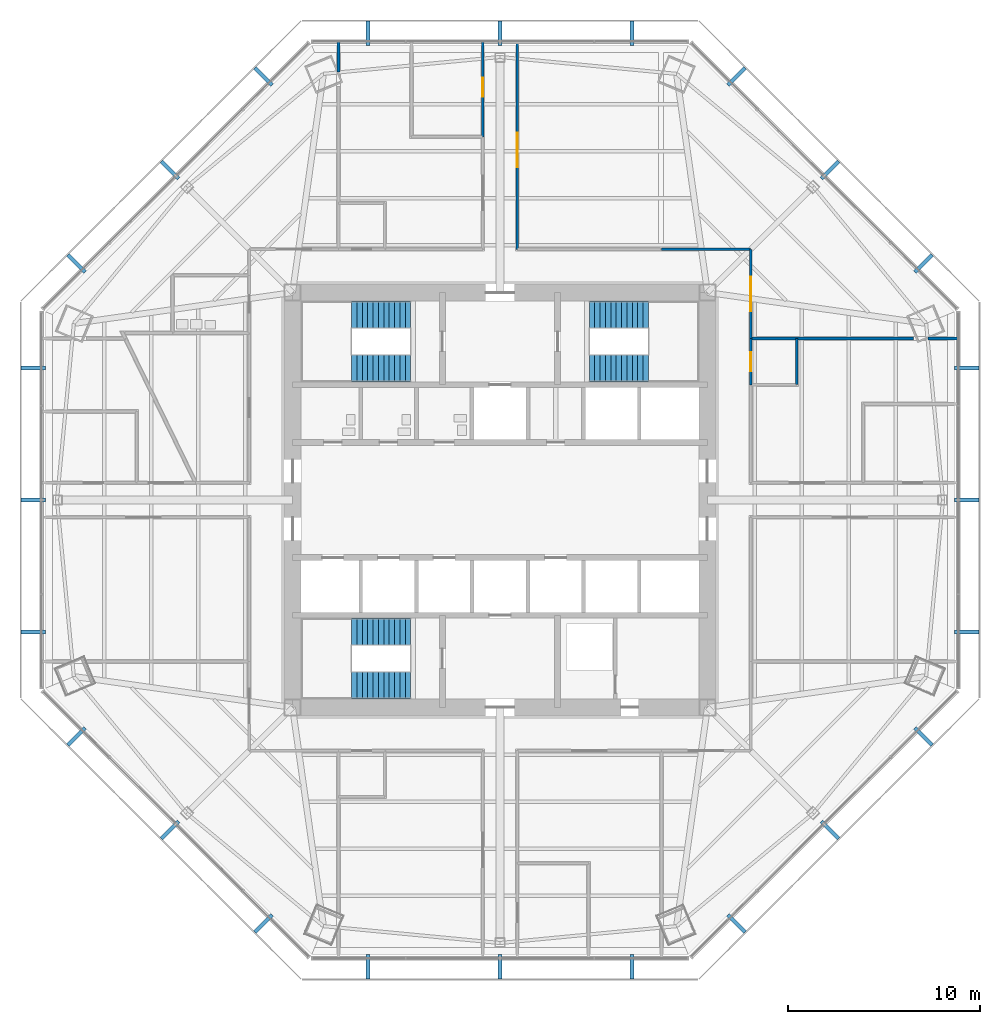
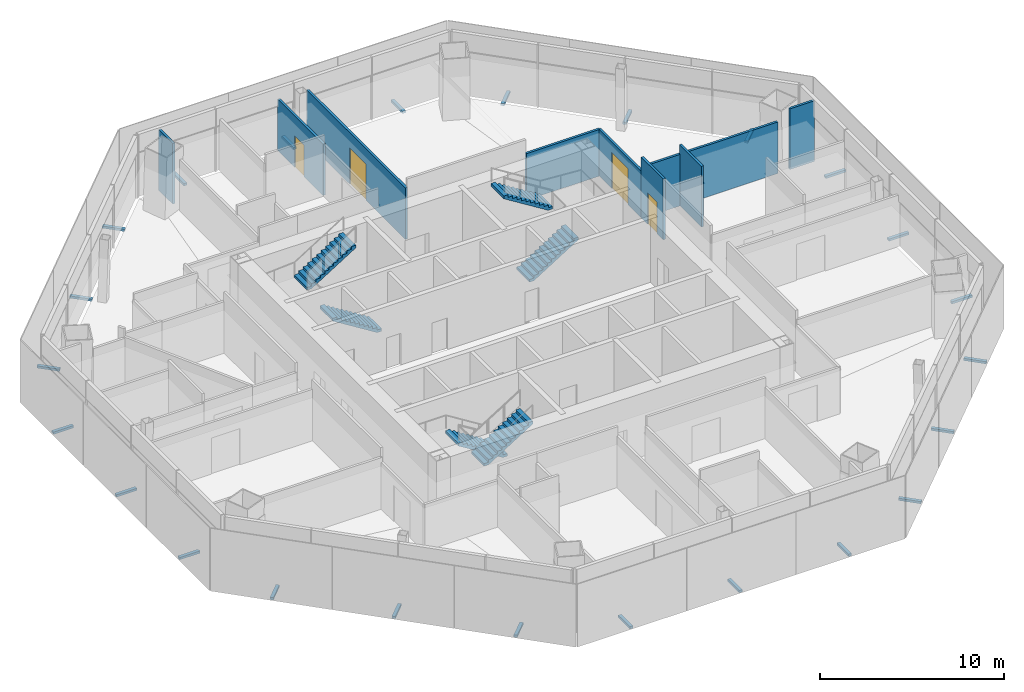
# One storey, part 11 of 14: 24 discrete accessories, 9 walls, 6 stair flights, 4 doors, 4 openings, 3 elements without a shape of their own.
"""IFC4 building model written with IfcOpenShell, lengths in metres."""

from ifc_helpers import new_model, si_unit, direction, frame, frame_2d, origin, origin_2d, place, context, subcontext, project, spatial, polyline, rectangle, outline, extrude, source, transform, mapped, material, layer, layer_set, type_object, type_shapes, element, fill, aggregate, save


model = new_model("IFC4")

# Units and contexts
model_context = context("Model", 3, precision=1e-05, world=origin(), true_north=direction((0.0, 1.0)))
body_context = subcontext(model_context, "Body", "Model", "MODEL_VIEW")
ifc_project = project(units=[si_unit("LENGTHUNIT", "METRE"), si_unit("AREAUNIT", "SQUARE_METRE"), si_unit("VOLUMEUNIT", "CUBIC_METRE"), si_unit("PLANEANGLEUNIT", "RADIAN"), si_unit("MASSUNIT", "GRAM", prefix="KILO")], contexts=[model_context])

# Site, building, storey
site_placement = place(None, origin())
site = spatial("IfcSite", under=ifc_project, at=site_placement, CompositionType="ELEMENT")
building_placement = place(site_placement, origin())
building = spatial("IfcBuilding", under=site, at=building_placement, Name="Mashrafa Tower", CompositionType="ELEMENT")
storey_placement = place(building_placement, frame((0.0, 0.0, 147.0)))
storey = spatial("IfcBuildingStorey", under=building, at=storey_placement, Name="L33", CompositionType="ELEMENT", Elevation=147.0)

# Wall, opening, door
ifc_material_1 = material(Name="Gypsum board on steel studs", Category="steel")
ifc_layer_1 = layer(ifc_material_1, 0.14990234375)
ifc_layer_set_1 = layer_set([ifc_layer_1], Name="Corridor partition 150 1 hr")
wall_type_1 = type_object("IfcWallType", Name="Corridor partition 150 1 hr", PredefinedType="PARTITIONING", material=ifc_layer_set_1)
wall_1_placement = place(storey_placement, frame((-0.89990234375, 23.84033203125, 0.0), z_axis=(0.0, 0.0, 1.0), x_axis=(0.0, -1.0, 0.0)))
wall_1 = element("IfcWall", 1, at=wall_1_placement, inside=storey, type_object=wall_type_1, Name="Corridor wall L33-006", PredefinedType="PARTITIONING", context=body_context, shape_type="SweptSolid", body=[
    extrude(rectangle(XDim=4.93505859375, YDim=0.14990234375, at=frame_2d((2.467529296875, 0.0))), origin(), (0.0, 0.0, 1.0), 3.425537109375),
])
opening_1_placement = place(wall_1_placement, frame((1.849609375, 0.0, 0.0)))
opening_1 = element("IfcOpeningElement", 2, at=opening_1_placement, cuts=wall_1, Name="Opening 33.005", PredefinedType="OPENING", context=body_context, shape_type="SweptSolid", body=[
    extrude(rectangle(XDim=1.0, YDim=2.10009765625, at=frame_2d((0.5, 1.050048828125))), frame((0.0, 0.0849609375, 0.0), z_axis=(0.0, -1.0, 0.0), x_axis=(1.0, 0.0, 0.0)), (0.0, 0.0, 1.0), 0.169921875),
])
ifc_material_2 = material(Name="Timber door", Category="wood")
door_type_1 = type_object("IfcDoorType", Name="Door 1000 x 2100", OperationType="USERDEFINED", PredefinedType="DOOR", material=ifc_material_2)
door_1_placement = place(opening_1_placement, frame((1.0, 0.0, 0.0), z_axis=(0.0, 0.0, 1.0), x_axis=(-1.0, 0.0, 0.0)))
door_1 = element("IfcDoor", 3, at=door_1_placement, inside=storey, type_object=door_type_1, Name="Meeting Room 33-N door", OperationType="SINGLE_SWING_RIGHT", OverallHeight=2.10009765625, OverallWidth=1.0, PredefinedType="DOOR", context=body_context, shape_type="SweptSolid", body=[
    extrude(rectangle(XDim=1.0, YDim=2.10009765625, at=frame_2d((0.5, 1.050048828125))), frame((0.0, 0.02490234375, 0.0), z_axis=(0.0, -1.0, 0.0), x_axis=(1.0, 0.0, 0.0)), (0.0, 0.0, 1.0), 0.050048828125),
])
fill(opening_1, door_1)

wall_2_placement = place(storey_placement, frame((13.050048828125, 5.9990234375, 0.0), z_axis=(0.0, 0.0, 1.0), x_axis=(0.0, 1.0, 0.0)))
wall_2 = element("IfcWall", 4, at=wall_2_placement, inside=storey, type_object=wall_type_1, Name="Corridor wall L33-008", PredefinedType="PARTITIONING", context=body_context, shape_type="SweptSolid", body=[
    extrude(rectangle(XDim=2.40185546875, YDim=0.14990234375, at=frame_2d((1.200927734375, 0.0))), origin(), (0.0, 0.0, 1.0), 4.034912109375),
])
opening_2_placement = place(wall_2_placement, frame((0.700927734375, 0.0, 0.0)))
opening_2 = element("IfcOpeningElement", 5, at=opening_2_placement, cuts=wall_2, Name="Opening 33.007", PredefinedType="OPENING", context=body_context, shape_type="SweptSolid", body=[
    extrude(rectangle(XDim=1.0, YDim=2.10009765625, at=frame_2d((0.5, 1.050048828125))), frame((0.0, 0.0849609375, 0.0), z_axis=(0.0, -1.0, 0.0), x_axis=(1.0, 0.0, 0.0)), (0.0, 0.0, 1.0), 0.169921875),
])
door_2_placement = place(opening_2_placement, frame((1.0, 0.0, 0.0), z_axis=(0.0, 0.0, 1.0), x_axis=(-1.0, 0.0, 0.0)))
door_2 = element("IfcDoor", 6, at=door_2_placement, inside=storey, type_object=door_type_1, Name="Kitchenette 33-E door", OperationType="SINGLE_SWING_RIGHT", OverallHeight=2.10009765625, OverallWidth=1.0, PredefinedType="DOOR", context=body_context, shape_type="SweptSolid", body=[
    extrude(rectangle(XDim=1.0, YDim=2.10009765625, at=frame_2d((0.5, 1.050048828125))), frame((0.0, 0.02490234375, 0.0), z_axis=(0.0, -1.0, 0.0), x_axis=(1.0, 0.0, 0.0)), (0.0, 0.0, 1.0), 0.050048828125),
])
fill(opening_2, door_2)

wall_3_placement = place(storey_placement, frame((0.89990234375, 13.050048828125, 0.0), z_axis=(0.0, 0.0, 1.0), x_axis=(0.0, 1.0, 0.0)))
wall_3 = element("IfcWall", 7, at=wall_3_placement, inside=storey, type_object=wall_type_1, Name="Corridor wall L33-012", PredefinedType="PARTITIONING", context=body_context, shape_type="SweptSolid", body=[
    extrude(rectangle(XDim=10.790283203125, YDim=0.14990234375, at=frame_2d((5.39501953125, 0.0))), origin(), (0.0, 0.0, 1.0), 3.425537109375),
])
opening_3_placement = place(wall_3_placement, frame((4.278076171875, 0.0, 0.0)))
opening_3 = element("IfcOpeningElement", 8, at=opening_3_placement, cuts=wall_3, Name="Opening 33.010", PredefinedType="OPENING", context=body_context, shape_type="SweptSolid", body=[
    extrude(rectangle(XDim=1.800048828125, YDim=2.39990234375, at=frame_2d((0.89990234375, 1.199951171875))), frame((0.0, 0.0849609375, 0.0), z_axis=(0.0, -1.0, 0.0), x_axis=(1.0, 0.0, 0.0)), (0.0, 0.0, 1.0), 0.169921875),
])
ifc_material_3 = material(Name="Timber door", Category="wood")
door_type_2 = type_object("IfcDoorType", Name="Door pair 1800 x 2400", OperationType="DOUBLE_DOOR_SINGLE_SWING", PredefinedType="DOOR", material=ifc_material_3)
door_3_placement = place(opening_3_placement, frame((1.800048828125, 0.0, 0.0), z_axis=(0.0, 0.0, 1.0), x_axis=(-1.0, 0.0, 0.0)))
door_3 = element("IfcDoor", 9, at=door_3_placement, inside=storey, type_object=door_type_2, Name="Office Suite 33-NE12 door", OperationType="DOUBLE_DOOR_SINGLE_SWING", OverallHeight=2.39990234375, OverallWidth=1.800048828125, PredefinedType="DOOR", context=body_context, shape_type="SweptSolid", body=[
    extrude(rectangle(XDim=1.800048828125, YDim=2.39990234375, at=frame_2d((0.89990234375, 1.199951171875))), frame((0.0, 0.02490234375, 0.0), z_axis=(0.0, -1.0, 0.0), x_axis=(1.0, 0.0, 0.0)), (0.0, 0.0, 1.0), 0.050048828125),
])
fill(opening_3, door_3)

wall_4_placement = place(storey_placement, frame((13.050048828125, 8.39892578125, 0.0), z_axis=(0.0, 0.0, 1.0), x_axis=(0.0, 1.0, 0.0)))
wall_4 = element("IfcWall", 10, at=wall_4_placement, inside=storey, type_object=wall_type_1, Name="Corridor wall L33-015", PredefinedType="PARTITIONING", context=body_context, shape_type="SweptSolid", body=[
    extrude(rectangle(XDim=4.651123046875, YDim=0.14990234375, at=frame_2d((2.32568359375, 0.0))), origin(), (0.0, 0.0, 1.0), 3.097900390625),
])
opening_4_placement = place(wall_4_placement, frame((1.425537109375, 0.0, 0.0)))
opening_4 = element("IfcOpeningElement", 11, at=opening_4_placement, cuts=wall_4, Name="Opening 33.012", PredefinedType="OPENING", context=body_context, shape_type="SweptSolid", body=[
    extrude(rectangle(XDim=1.800048828125, YDim=2.39990234375, at=frame_2d((0.89990234375, 1.199951171875))), frame((0.0, 0.0849609375, 0.0), z_axis=(0.0, -1.0, 0.0), x_axis=(1.0, 0.0, 0.0)), (0.0, 0.0, 1.0), 0.169921875),
])
door_4_placement = place(opening_4_placement, frame((1.800048828125, 0.0, 0.0), z_axis=(0.0, 0.0, 1.0), x_axis=(-1.0, 0.0, 0.0)))
door_4 = element("IfcDoor", 12, at=door_4_placement, inside=storey, type_object=door_type_2, Name="Office Suite 33-NE22 door", OperationType="DOUBLE_DOOR_SINGLE_SWING", OverallHeight=2.39990234375, OverallWidth=1.800048828125, PredefinedType="DOOR", context=body_context, shape_type="SweptSolid", body=[
    extrude(rectangle(XDim=1.800048828125, YDim=2.39990234375, at=frame_2d((0.89990234375, 1.199951171875))), frame((0.0, 0.02490234375, 0.0), z_axis=(0.0, -1.0, 0.0), x_axis=(1.0, 0.0, 0.0)), (0.0, 0.0, 1.0), 0.050048828125),
])
fill(opening_4, door_4)

# Walls
wall_5_placement = place(storey_placement, frame((13.050048828125, 13.050048828125, 0.0), z_axis=(0.0, 0.0, 1.0), x_axis=(-1.0, 0.0, 0.0)))
element("IfcWall", 13, at=wall_5_placement, inside=storey, type_object=wall_type_1, Name="Corridor wall L33-016", PredefinedType="PARTITIONING", context=body_context, shape_type="SweptSolid", body=[
    extrude(rectangle(XDim=4.651123046875, YDim=0.14990234375, at=frame_2d((2.32568359375, 0.0))), origin(), (0.0, 0.0, 1.0), 3.097900390625),
])
ifc_material_4 = material(Name="Gypsum board on steel studs", Category="steel")
ifc_layer_2 = layer(ifc_material_4, 0.14990234375)
ifc_layer_set_2 = layer_set([ifc_layer_2], Name="Partition 150")
wall_type_2 = type_object("IfcWallType", Name="Partition 150", PredefinedType="PARTITIONING", material=ifc_layer_set_2)
wall_6_placement = place(storey_placement, frame((15.449951171875, 6.0, 0.0), z_axis=(0.0, 0.0, 1.0), x_axis=(0.0, 1.0, 0.0)))
element("IfcWall", 14, at=wall_6_placement, inside=storey, type_object=wall_type_2, Name="Partition wall L33-049", PredefinedType="PARTITIONING", context=body_context, shape_type="SweptSolid", body=[
    extrude(rectangle(XDim=2.39990234375, YDim=0.14990234375, at=frame_2d((1.199951171875, 0.0))), origin(), (0.0, 0.0, 1.0), 4.034912109375),
])
wall_7_placement = place(storey_placement, frame((13.050048828125, 8.39990234375, 0.0), z_axis=(0.0, 0.0, 1.0), x_axis=(1.0, 0.0, 0.0)))
element("IfcWall", 15, at=wall_7_placement, inside=storey, type_object=wall_type_2, Name="Partition wall L33-050", PredefinedType="PARTITIONING", context=body_context, shape_type="SweptSolid", body=[
    extrude(rectangle(XDim=8.48193359375, YDim=0.14990234375, at=frame_2d((4.240966796875, 0.0))), origin(), (0.0, 0.0, 1.0), 3.425537109375),
])
for number, where, z_axis, x_axis, name in (
    (16, (23.83837890625, 8.39990234375, 0.0), (0.0, 0.0, 1.0), (-1.0, 0.0, 0.0), "Partition wall L33-057"),
    (17, (-8.39990234375, 23.83837890625, 0.0), (0.0, 0.0, 1.0), (0.0, -1.0, 0.0), "Partition wall L33-059"),
):
    element("IfcWall", number, at=place(storey_placement, frame(where, z_axis=z_axis, x_axis=x_axis)), inside=storey, type_object=wall_type_2, Name=name, PredefinedType="PARTITIONING", context=body_context, shape_type="SweptSolid", body=[
        extrude(rectangle(XDim=1.549560546875, YDim=0.14990234375, at=frame_2d((0.77490234375, 0.0))), origin(), (0.0, 0.0, 1.0), 4.034912109375),
    ])

# Stair, stair flights
ifc_material_5 = material(Name="Exit stair 1400")
stair_type = type_object("IfcStairType", Name="Exit stair 1400", PredefinedType="HALF_TURN_STAIR", material=ifc_material_5)
stair_1_placement = place(storey_placement, origin())
stair_1 = element("IfcStair", 18, at=stair_1_placement, inside=storey, type_object=stair_type, Name="Stair S1 L33", PredefinedType="HALF_TURN_STAIR")
ifc_material_6 = material(Name="Concrete C32/40", Category="concrete")
stair_flight_type = type_object("IfcStairFlightType", Name="Stair flight 1400", PredefinedType="STRAIGHT", material=ifc_material_6)
stair_flight_1_placement = place(storey_placement, frame((-4.64990234375, 6.85009765625, 0.0), z_axis=(0.0, 0.0, 1.0), x_axis=(-1.0, 0.0, 0.0)))
stair_flight_1 = element("IfcStairFlight", 19, at=stair_flight_1_placement, type_object=stair_flight_type, Name="S1 flight 1", NumberOfRisers=12, NumberOfTreads=11, PredefinedType="STRAIGHT", RiserHeight=0.175, TreadLength=0.28, context=body_context, shape_type="SweptSolid", body=[
    extrude(outline(polyline([(0.0, 0.0), (0.0, 0.175048828125), (0.280029296875, 0.175048828125), (0.280029296875, 0.35009765625), (0.56005859375, 0.35009765625), (0.56005859375, 0.52490234375), (0.840087890625, 0.52490234375), (0.840087890625, 0.699951171875), (1.1201171875, 0.699951171875), (1.1201171875, 0.875), (1.39990234375, 0.875), (1.39990234375, 1.050048828125), (1.679931640625, 1.050048828125), (1.679931640625, 1.22509765625), (1.9599609375, 1.22509765625), (1.9599609375, 1.39990234375), (2.239990234375, 1.39990234375), (2.239990234375, 1.574951171875), (2.52001953125, 1.574951171875), (2.52001953125, 1.75), (2.800048828125, 1.75), (2.800048828125, 1.925048828125), (3.080078125, 1.925048828125), (3.080078125, 2.10009765625), (3.080078125, 1.748291015625), (0.28271484375, 0.0), (0.0, 0.0)])), frame((0.0, 0.699951171875, 0.0), z_axis=(0.0, -1.0, 0.0), x_axis=(1.0, 0.0, 0.0)), (0.0, 0.0, 1.0), 1.39990234375),
])
stair_flight_2_placement = place(storey_placement, frame((-7.72998046875, 9.64990234375, 2.10009765625), z_axis=(0.0, 0.0, 1.0), x_axis=(1.0, 0.0, 0.0)))
stair_flight_2 = element("IfcStairFlight", 20, at=stair_flight_2_placement, type_object=stair_flight_type, Name="S1 flight 2", NumberOfRisers=12, NumberOfTreads=11, PredefinedType="STRAIGHT", RiserHeight=0.175, TreadLength=0.28, context=body_context, shape_type="SweptSolid", body=[
    extrude(outline(polyline([(0.0, 0.0), (0.0, 0.175048828125), (0.280029296875, 0.175048828125), (0.280029296875, 0.35009765625), (0.56005859375, 0.35009765625), (0.56005859375, 0.52490234375), (0.840087890625, 0.52490234375), (0.840087890625, 0.699951171875), (1.1201171875, 0.699951171875), (1.1201171875, 0.875), (1.39990234375, 0.875), (1.39990234375, 1.050048828125), (1.679931640625, 1.050048828125), (1.679931640625, 1.22509765625), (1.9599609375, 1.22509765625), (1.9599609375, 1.39990234375), (2.239990234375, 1.39990234375), (2.239990234375, 1.574951171875), (2.52001953125, 1.574951171875), (2.52001953125, 1.75), (2.800048828125, 1.75), (2.800048828125, 1.925048828125), (3.080078125, 1.925048828125), (3.080078125, 2.10009765625), (3.080078125, 1.748291015625), (0.28271484375, 0.0), (0.0, 0.0)])), frame((0.0, 0.699951171875, 0.0), z_axis=(0.0, -1.0, 0.0), x_axis=(1.0, 0.0, 0.0)), (0.0, 0.0, 1.0), 1.39990234375),
])
aggregate(stair_1, [stair_flight_1, stair_flight_2])

stair_2_placement = place(storey_placement, origin())
stair_2 = element("IfcStair", 21, at=stair_2_placement, inside=storey, type_object=stair_type, Name="Stair S2 L33", PredefinedType="HALF_TURN_STAIR")
stair_flight_3_placement = place(storey_placement, frame((4.64990234375, 6.85009765625, 0.0), z_axis=(0.0, 0.0, 1.0), x_axis=(1.0, 0.0, 0.0)))
stair_flight_3 = element("IfcStairFlight", 22, at=stair_flight_3_placement, type_object=stair_flight_type, Name="S2 flight 1", NumberOfRisers=12, NumberOfTreads=11, PredefinedType="STRAIGHT", RiserHeight=0.175, TreadLength=0.28, context=body_context, shape_type="SweptSolid", body=[
    extrude(outline(polyline([(0.0, 0.0), (0.0, 0.175048828125), (0.280029296875, 0.175048828125), (0.280029296875, 0.35009765625), (0.56005859375, 0.35009765625), (0.56005859375, 0.52490234375), (0.840087890625, 0.52490234375), (0.840087890625, 0.699951171875), (1.1201171875, 0.699951171875), (1.1201171875, 0.875), (1.39990234375, 0.875), (1.39990234375, 1.050048828125), (1.679931640625, 1.050048828125), (1.679931640625, 1.22509765625), (1.9599609375, 1.22509765625), (1.9599609375, 1.39990234375), (2.239990234375, 1.39990234375), (2.239990234375, 1.574951171875), (2.52001953125, 1.574951171875), (2.52001953125, 1.75), (2.800048828125, 1.75), (2.800048828125, 1.925048828125), (3.080078125, 1.925048828125), (3.080078125, 2.10009765625), (3.080078125, 1.748291015625), (0.28271484375, 0.0), (0.0, 0.0)])), frame((0.0, 0.699951171875, 0.0), z_axis=(0.0, -1.0, 0.0), x_axis=(1.0, 0.0, 0.0)), (0.0, 0.0, 1.0), 1.39990234375),
])
stair_flight_4_placement = place(storey_placement, frame((7.72998046875, 9.64990234375, 2.10009765625), z_axis=(0.0, 0.0, 1.0), x_axis=(-1.0, 0.0, 0.0)))
stair_flight_4 = element("IfcStairFlight", 23, at=stair_flight_4_placement, type_object=stair_flight_type, Name="S2 flight 2", NumberOfRisers=12, NumberOfTreads=11, PredefinedType="STRAIGHT", RiserHeight=0.175, TreadLength=0.28, context=body_context, shape_type="SweptSolid", body=[
    extrude(outline(polyline([(0.0, 0.0), (0.0, 0.175048828125), (0.280029296875, 0.175048828125), (0.280029296875, 0.35009765625), (0.56005859375, 0.35009765625), (0.56005859375, 0.52490234375), (0.840087890625, 0.52490234375), (0.840087890625, 0.699951171875), (1.1201171875, 0.699951171875), (1.1201171875, 0.875), (1.39990234375, 0.875), (1.39990234375, 1.050048828125), (1.679931640625, 1.050048828125), (1.679931640625, 1.22509765625), (1.9599609375, 1.22509765625), (1.9599609375, 1.39990234375), (2.239990234375, 1.39990234375), (2.239990234375, 1.574951171875), (2.52001953125, 1.574951171875), (2.52001953125, 1.75), (2.800048828125, 1.75), (2.800048828125, 1.925048828125), (3.080078125, 1.925048828125), (3.080078125, 2.10009765625), (3.080078125, 1.748291015625), (0.28271484375, 0.0), (0.0, 0.0)])), frame((0.0, 0.699951171875, 0.0), z_axis=(0.0, -1.0, 0.0), x_axis=(1.0, 0.0, 0.0)), (0.0, 0.0, 1.0), 1.39990234375),
])
aggregate(stair_2, [stair_flight_3, stair_flight_4])

stair_3_placement = place(storey_placement, origin())
stair_3 = element("IfcStair", 24, at=stair_3_placement, inside=storey, type_object=stair_type, Name="Stair S3 L33", PredefinedType="HALF_TURN_STAIR")
stair_flight_5_placement = place(storey_placement, frame((-4.64990234375, -6.85009765625, 0.0), z_axis=(0.0, 0.0, 1.0), x_axis=(-1.0, 0.0, 0.0)))
stair_flight_5 = element("IfcStairFlight", 25, at=stair_flight_5_placement, type_object=stair_flight_type, Name="S3 flight 1", NumberOfRisers=12, NumberOfTreads=11, PredefinedType="STRAIGHT", RiserHeight=0.175, TreadLength=0.28, context=body_context, shape_type="SweptSolid", body=[
    extrude(outline(polyline([(0.0, 0.0), (0.0, 0.175048828125), (0.280029296875, 0.175048828125), (0.280029296875, 0.35009765625), (0.56005859375, 0.35009765625), (0.56005859375, 0.52490234375), (0.840087890625, 0.52490234375), (0.840087890625, 0.699951171875), (1.1201171875, 0.699951171875), (1.1201171875, 0.875), (1.39990234375, 0.875), (1.39990234375, 1.050048828125), (1.679931640625, 1.050048828125), (1.679931640625, 1.22509765625), (1.9599609375, 1.22509765625), (1.9599609375, 1.39990234375), (2.239990234375, 1.39990234375), (2.239990234375, 1.574951171875), (2.52001953125, 1.574951171875), (2.52001953125, 1.75), (2.800048828125, 1.75), (2.800048828125, 1.925048828125), (3.080078125, 1.925048828125), (3.080078125, 2.10009765625), (3.080078125, 1.748291015625), (0.28271484375, 0.0), (0.0, 0.0)])), frame((0.0, 0.699951171875, 0.0), z_axis=(0.0, -1.0, 0.0), x_axis=(1.0, 0.0, 0.0)), (0.0, 0.0, 1.0), 1.39990234375),
])
stair_flight_6_placement = place(storey_placement, frame((-7.72998046875, -9.64990234375, 2.10009765625), z_axis=(0.0, 0.0, 1.0), x_axis=(1.0, 0.0, 0.0)))
stair_flight_6 = element("IfcStairFlight", 26, at=stair_flight_6_placement, type_object=stair_flight_type, Name="S3 flight 2", NumberOfRisers=12, NumberOfTreads=11, PredefinedType="STRAIGHT", RiserHeight=0.175, TreadLength=0.28, context=body_context, shape_type="SweptSolid", body=[
    extrude(outline(polyline([(0.0, 0.0), (0.0, 0.175048828125), (0.280029296875, 0.175048828125), (0.280029296875, 0.35009765625), (0.56005859375, 0.35009765625), (0.56005859375, 0.52490234375), (0.840087890625, 0.52490234375), (0.840087890625, 0.699951171875), (1.1201171875, 0.699951171875), (1.1201171875, 0.875), (1.39990234375, 0.875), (1.39990234375, 1.050048828125), (1.679931640625, 1.050048828125), (1.679931640625, 1.22509765625), (1.9599609375, 1.22509765625), (1.9599609375, 1.39990234375), (2.239990234375, 1.39990234375), (2.239990234375, 1.574951171875), (2.52001953125, 1.574951171875), (2.52001953125, 1.75), (2.800048828125, 1.75), (2.800048828125, 1.925048828125), (3.080078125, 1.925048828125), (3.080078125, 2.10009765625), (3.080078125, 1.748291015625), (0.28271484375, 0.0), (0.0, 0.0)])), frame((0.0, 0.699951171875, 0.0), z_axis=(0.0, -1.0, 0.0), x_axis=(1.0, 0.0, 0.0)), (0.0, 0.0, 1.0), 1.39990234375),
])
aggregate(stair_3, [stair_flight_5, stair_flight_6])

# Discrete accessories
ifc_material_7 = material(Name="Stainless steel screen bracket", Category="steel")
discrete_accessory_type = type_object("IfcDiscreteAccessoryType", Name="Screen support bracket 200 x 150", PredefinedType="BRACKET", material=ifc_material_7)
shared_shape = source(origin(), body_context, "Body", "SweptSolid", [
    extrude(rectangle(XDim=0.199951171875, YDim=1.27001953125, at=origin_2d()), origin(), (0.0, 0.0, 1.0), 0.14990234375),
])
type_shapes(discrete_accessory_type, [shared_shape])
for number, where, z_axis, x_axis, name in (
    (27, (24.291259765625, -6.87646484375, -0.14990234375), (0.0, 0.0, 1.0), (0.0, 1.0, 0.0), "Screen support bracket L33 east 1"),
    (28, (24.291259765625, 0.0, -0.14990234375), (0.0, 0.0, 1.0), (0.0, 1.0, 0.0), "Screen support bracket L33 east 2"),
    (29, (24.291259765625, 6.87646484375, -0.14990234375), (0.0, 0.0, 1.0), (0.0, 1.0, 0.0), "Screen support bracket L33 east 3"),
    (30, (22.0390625, 12.314208984375, -0.14990234375), (0.0, 0.0, 1.0), (-0.707106781187, 0.707106781187, 0.0), "Screen support bracket L33 north-east 1"),
    (31, (17.176513671875, 17.176513671875, -0.14990234375), (0.0, 0.0, 1.0), (-0.707106781187, 0.707106781187, 0.0), "Screen support bracket L33 north-east 2"),
    (32, (12.314208984375, 22.0390625, -0.14990234375), (0.0, 0.0, 1.0), (-0.707106781187, 0.707106781187, 0.0), "Screen support bracket L33 north-east 3"),
    (33, (6.87646484375, 24.291259765625, -0.14990234375), (0.0, 0.0, 1.0), (-1.0, 0.0, 0.0), "Screen support bracket L33 north 1"),
    (34, (0.0, 24.291259765625, -0.14990234375), (0.0, 0.0, 1.0), (-1.0, 0.0, 0.0), "Screen support bracket L33 north 2"),
    (35, (-6.87646484375, 24.291259765625, -0.14990234375), (0.0, 0.0, 1.0), (-1.0, 0.0, 0.0), "Screen support bracket L33 north 3"),
    (36, (-12.314208984375, 22.0390625, -0.14990234375), (0.0, 0.0, 1.0), (-0.707106781187, -0.707106781187, 0.0), "Screen support bracket L33 north-west 1"),
    (37, (-17.176513671875, 17.176513671875, -0.14990234375), (0.0, 0.0, 1.0), (-0.707106781187, -0.707106781187, 0.0), "Screen support bracket L33 north-west 2"),
    (38, (-22.0390625, 12.314208984375, -0.14990234375), (0.0, 0.0, 1.0), (-0.707106781187, -0.707106781187, 0.0), "Screen support bracket L33 north-west 3"),
    (39, (-24.291259765625, 6.87646484375, -0.14990234375), (0.0, 0.0, 1.0), (0.0, -1.0, 0.0), "Screen support bracket L33 west 1"),
    (40, (-24.291259765625, 0.0, -0.14990234375), (0.0, 0.0, 1.0), (0.0, -1.0, 0.0), "Screen support bracket L33 west 2"),
    (41, (-24.291259765625, -6.87646484375, -0.14990234375), (0.0, 0.0, 1.0), (0.0, -1.0, 0.0), "Screen support bracket L33 west 3"),
    (42, (-22.0390625, -12.314208984375, -0.14990234375), (0.0, 0.0, 1.0), (0.707106781187, -0.707106781187, 0.0), "Screen support bracket L33 south-west 1"),
    (43, (-17.176513671875, -17.176513671875, -0.14990234375), (0.0, 0.0, 1.0), (0.707106781187, -0.707106781187, 0.0), "Screen support bracket L33 south-west 2"),
    (44, (-12.314208984375, -22.0390625, -0.14990234375), (0.0, 0.0, 1.0), (0.707106781187, -0.707106781187, 0.0), "Screen support bracket L33 south-west 3"),
    (45, (-6.87646484375, -24.291259765625, -0.14990234375), (0.0, 0.0, 1.0), (1.0, 0.0, 0.0), "Screen support bracket L33 south 1"),
    (46, (0.0, -24.291259765625, -0.14990234375), (0.0, 0.0, 1.0), (1.0, 0.0, 0.0), "Screen support bracket L33 south 2"),
    (47, (6.87646484375, -24.291259765625, -0.14990234375), (0.0, 0.0, 1.0), (1.0, 0.0, 0.0), "Screen support bracket L33 south 3"),
    (48, (12.314208984375, -22.0390625, -0.14990234375), (0.0, 0.0, 1.0), (0.707106781187, 0.707106781187, 0.0), "Screen support bracket L33 south-east 1"),
    (49, (17.176513671875, -17.176513671875, -0.14990234375), (0.0, 0.0, 1.0), (0.707106781187, 0.707106781187, 0.0), "Screen support bracket L33 south-east 2"),
    (50, (22.0390625, -12.314208984375, -0.14990234375), (0.0, 0.0, 1.0), (0.707106781187, 0.707106781187, 0.0), "Screen support bracket L33 south-east 3"),
):
    element("IfcDiscreteAccessory", number, at=place(storey_placement, frame(where, z_axis=z_axis, x_axis=x_axis)), inside=storey, type_object=discrete_accessory_type, Name=name, PredefinedType="BRACKET", context=body_context, shape_type="MappedRepresentation", body=[
        mapped(shared_shape, transform((0.0, 0.0, 0.0))),
    ])

save(model, "model.ifc")
